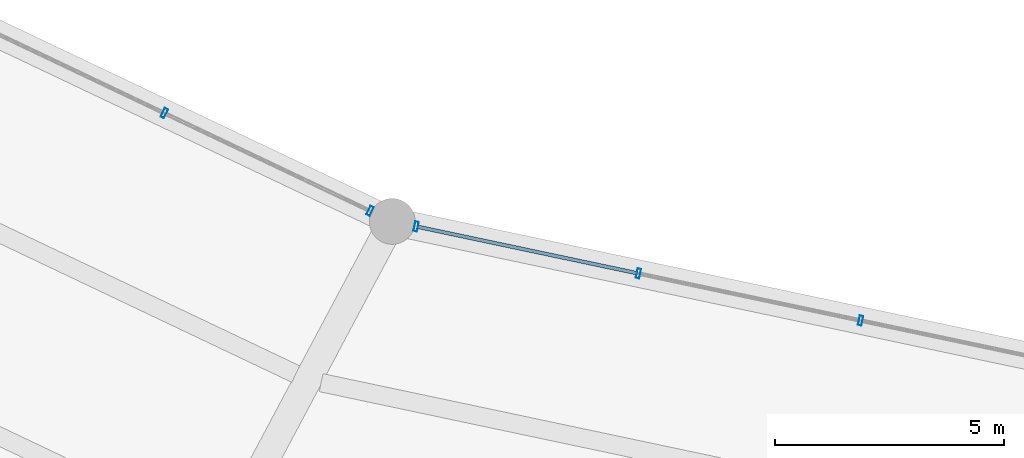
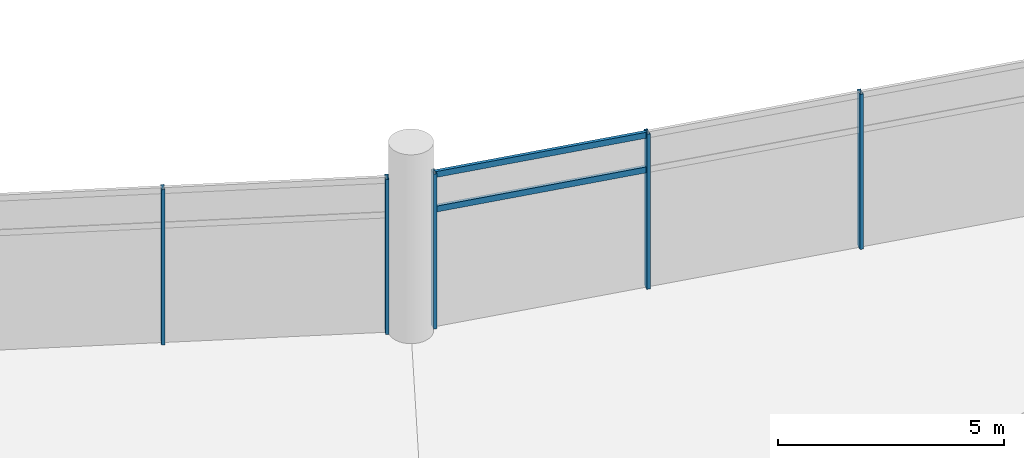
# One storey, part 24 of 184: 7 members, 2 elements without a shape of their own.
"""IFC4 building model written with IfcOpenShell, lengths in metres."""

from ifc_helpers import new_model, si_unit, direction, frame, origin, origin_2d, place, context, subcontext, project, spatial, hollow_rectangle, extrude, material, layer, layer_set, material_profile, profile_set, type_object, element, aggregate, save


model = new_model("IFC4")

# Units and contexts
model_context = context("Model", 3, precision=1e-05, world=origin(), true_north=direction((0.0, 1.0)))
body_context = subcontext(model_context, "Body", "Model", "MODEL_VIEW")
ifc_project = project(units=[si_unit("LENGTHUNIT", "METRE"), si_unit("AREAUNIT", "SQUARE_METRE"), si_unit("VOLUMEUNIT", "CUBIC_METRE"), si_unit("PLANEANGLEUNIT", "RADIAN"), si_unit("MASSUNIT", "GRAM", prefix="KILO")], contexts=[model_context])

# Site, building, storey
site_placement = place(None, origin())
site = spatial("IfcSite", under=ifc_project, at=site_placement, CompositionType="ELEMENT")
building_placement = place(site_placement, origin())
building = spatial("IfcBuilding", under=site, at=building_placement, Name="Kazemori Nagisa Stadium", CompositionType="ELEMENT")
storey_placement = place(building_placement, frame((0.0, 0.0, 10.5400390625)))
storey = spatial("IfcBuildingStorey", under=building, at=storey_placement, Name="L02", CompositionType="ELEMENT", Elevation=10.5400390625)

# Curtain wall, members
ifc_material_1 = material(Name="Anodised aluminium 6063-T5", Category="aluminium")
ifc_layer = layer(ifc_material_1, 0.2099609375, Name="Anodised aluminium 6063-T5", Category="aluminium")
ifc_layer_set = layer_set([ifc_layer], Name="Anodised aluminium 6063-T5")
curtain_wall_type = type_object("IfcCurtainWallType", Name="CW_L02B_75", PredefinedType="USERDEFINED", material=ifc_layer_set)
curtain_wall_1_placement = place(storey_placement, origin())
curtain_wall_1 = element("IfcCurtainWall", 1, at=curtain_wall_1_placement, inside=storey, type_object=curtain_wall_type, Name="Unitised curtain wall CW-L02B-75 L02", ObjectType="UNITISED CURTAIN WALL", PredefinedType="USERDEFINED")
ifc_material_2 = material(Name="Aluminium 6063-T5 anodised", Category="aluminium")
ifc_material_profile_1 = material_profile(ifc_material_2, hollow_rectangle(XDim=0.080078125, YDim=0.2099609375, WallThickness=0.0048828125, at=origin_2d()), Name="ALU-MULL-80x210x5")
ifc_profile_set_1 = profile_set([ifc_material_profile_1], Name="Aluminium 6063-T5 anodised")
member_type_1 = type_object("IfcMemberType", Name="Mullion_M02", PredefinedType="MULLION", material=ifc_profile_set_1)
member_1_placement = place(storey_placement, frame((86.775146484375, 45.626220703125, 0.0), z_axis=(0.0, 0.0, 1.0), x_axis=(0.903215892654, -0.429186499388, 0.0)))
member_1 = element("IfcMember", 2, at=member_1_placement, type_object=member_type_1, Name="Curtain wall mullion CW-L02B-75-M3", PredefinedType="MULLION", context=body_context, shape_type="SweptSolid", body=[
    extrude(hollow_rectangle(XDim=0.080078125, YDim=0.2099609375, WallThickness=0.0048828125, at=origin_2d()), origin(), (0.0, 0.0, 1.0), 4.18994140625),
])
member_2_placement = place(storey_placement, frame((91.269287109375, 43.49072265625, 0.0), z_axis=(0.0, 0.0, 1.0), x_axis=(0.903215892654, -0.429186499388, 0.0)))
member_2 = element("IfcMember", 3, at=member_2_placement, type_object=member_type_1, Name="Curtain wall mullion CW-L02B-75-M4", PredefinedType="MULLION", context=body_context, shape_type="SweptSolid", body=[
    extrude(hollow_rectangle(XDim=0.080078125, YDim=0.2099609375, WallThickness=0.0048828125, at=origin_2d()), origin(), (0.0, 0.0, 1.0), 4.18994140625),
])
aggregate(curtain_wall_1, [member_1, member_2])

curtain_wall_2_placement = place(storey_placement, origin())
curtain_wall_2 = element("IfcCurtainWall", 4, at=curtain_wall_2_placement, inside=storey, type_object=curtain_wall_type, Name="Unitised curtain wall CW-L02B-75 L02", ObjectType="UNITISED CURTAIN WALL", PredefinedType="USERDEFINED")
member_3_placement = place(storey_placement, frame((92.27587890625, 43.150390625, 0.0), z_axis=(0.0, 0.0, 1.0), x_axis=(0.978344955407, -0.206981033502, 0.0)))
member_3 = element("IfcMember", 5, at=member_3_placement, type_object=member_type_1, Name="Curtain wall mullion CW-L02B-75-M1", PredefinedType="MULLION", context=body_context, shape_type="SweptSolid", body=[
    extrude(hollow_rectangle(XDim=0.080078125, YDim=0.2099609375, WallThickness=0.0048828125, at=origin_2d()), origin(), (0.0, 0.0, 1.0), 4.18994140625),
])
member_4_placement = place(storey_placement, frame((97.128662109375, 42.123779296875, 0.0), z_axis=(0.0, 0.0, 1.0), x_axis=(0.978344955407, -0.206981033502, 0.0)))
member_4 = element("IfcMember", 6, at=member_4_placement, type_object=member_type_1, Name="Curtain wall mullion CW-L02B-75-M2", PredefinedType="MULLION", context=body_context, shape_type="SweptSolid", body=[
    extrude(hollow_rectangle(XDim=0.080078125, YDim=0.2099609375, WallThickness=0.0048828125, at=origin_2d()), origin(), (0.0, 0.0, 1.0), 4.18994140625),
])
member_5_placement = place(storey_placement, frame((101.981689453125, 41.096923828125, 0.0), z_axis=(0.0, 0.0, 1.0), x_axis=(0.978344955407, -0.206981033502, 0.0)))
member_5 = element("IfcMember", 7, at=member_5_placement, type_object=member_type_1, Name="Curtain wall mullion CW-L02B-75-M3", PredefinedType="MULLION", context=body_context, shape_type="SweptSolid", body=[
    extrude(hollow_rectangle(XDim=0.080078125, YDim=0.2099609375, WallThickness=0.0048828125, at=origin_2d()), origin(), (0.0, 0.0, 1.0), 4.18994140625),
])
ifc_material_profile_2 = material_profile(ifc_material_2, hollow_rectangle(XDim=0.080078125, YDim=0.159912109375, WallThickness=0.00390625, at=origin_2d()), Name="ALU-TRAN-80x160x4")
ifc_profile_set_2 = profile_set([ifc_material_profile_2], Name="Aluminium 6063-T5 anodised")
member_type_2 = type_object("IfcMemberType", Name="Transom_T02", PredefinedType="USERDEFINED", material=ifc_profile_set_2)
member_6_placement = place(storey_placement, frame((92.29541015625, 43.146240234375, 3.184326171875), z_axis=(0.978348737064, -0.206963157798, 0.0), x_axis=(0.206963157798, 0.978348737064, 0.0)))
member_6 = element("IfcMember", 8, at=member_6_placement, type_object=member_type_2, Name="Curtain wall transom CW-L02B-75-T1-mid", ObjectType="TRANSOM", PredefinedType="USERDEFINED", context=body_context, shape_type="SweptSolid", body=[
    extrude(hollow_rectangle(XDim=0.080078125, YDim=0.159912109375, WallThickness=0.00390625, at=origin_2d()), origin(), (0.0, 0.0, 1.0), 4.920166015625),
])
member_7_placement = place(storey_placement, frame((92.29541015625, 43.146240234375, 4.119873046875), z_axis=(0.978348737064, -0.206963157798, 0.0), x_axis=(0.206963157798, 0.978348737064, 0.0)))
member_7 = element("IfcMember", 9, at=member_7_placement, type_object=member_type_2, Name="Curtain wall transom CW-L02B-75-T1-head", ObjectType="TRANSOM", PredefinedType="USERDEFINED", context=body_context, shape_type="SweptSolid", body=[
    extrude(hollow_rectangle(XDim=0.080078125, YDim=0.159912109375, WallThickness=0.00390625, at=origin_2d()), origin(), (0.0, 0.0, 1.0), 4.920166015625),
])
aggregate(curtain_wall_2, [member_3, member_4, member_5, member_6, member_7])

save(model, "model.ifc")
